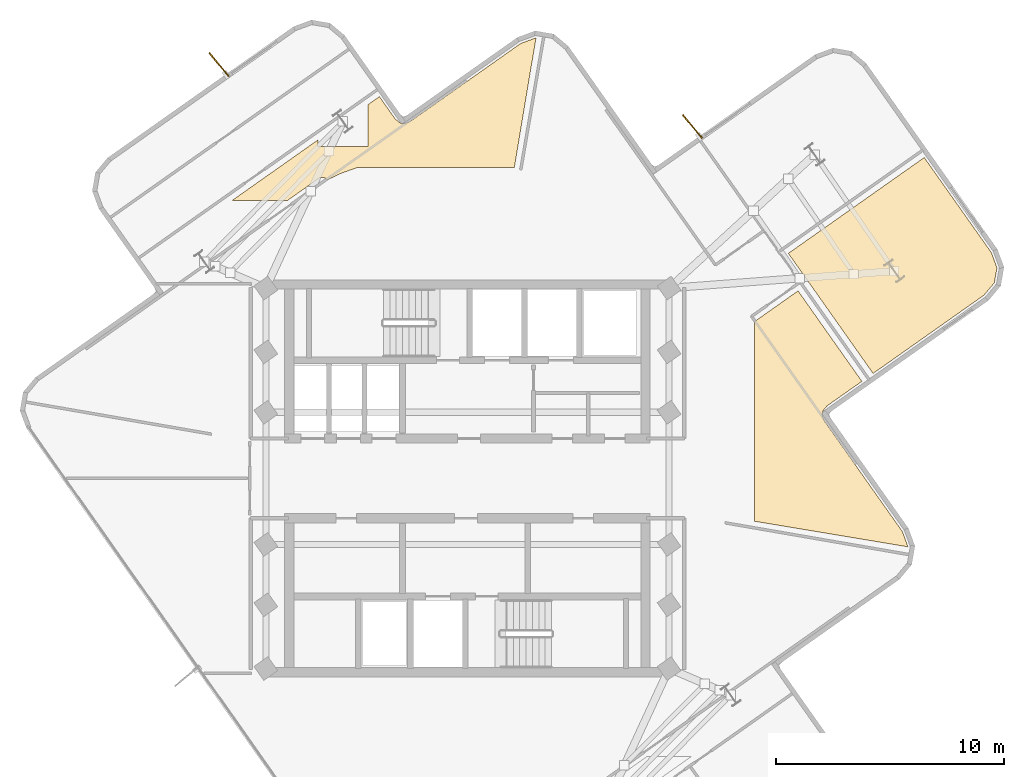
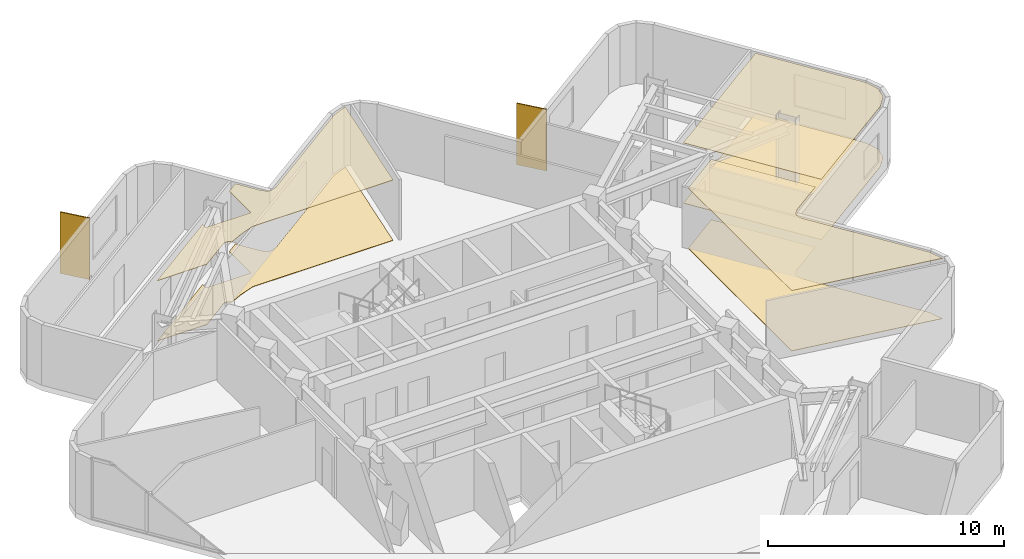
# One storey, part 9 of 9: 6 coverings, 2 shading devices.
"""IFC4 building model written with IfcOpenShell, lengths in metres."""

from ifc_helpers import new_model, si_unit, direction, frame, origin, origin_2d, place, context, subcontext, project, spatial, polyline, rectangle, outline, extrude, material, layer, layer_set, type_object, element, save


model = new_model("IFC4")

# Units and contexts
model_context = context("Model", 3, precision=1e-05, world=origin(), true_north=direction((0.0, 1.0)))
body_context = subcontext(model_context, "Body", "Model", "MODEL_VIEW")
ifc_project = project(units=[si_unit("LENGTHUNIT", "METRE"), si_unit("AREAUNIT", "SQUARE_METRE"), si_unit("VOLUMEUNIT", "CUBIC_METRE"), si_unit("PLANEANGLEUNIT", "RADIAN"), si_unit("MASSUNIT", "GRAM", prefix="KILO")], contexts=[model_context])

# Site, building, storey
site_placement = place(None, origin())
site = spatial("IfcSite", under=ifc_project, at=site_placement, CompositionType="ELEMENT")
building_placement = place(site_placement, origin())
building = spatial("IfcBuilding", under=site, at=building_placement, Name="Solmarez Civic Tower", CompositionType="ELEMENT")
storey_placement = place(building_placement, frame((0.0, 0.0, 222.300048828125)))
storey = spatial("IfcBuildingStorey", under=building, at=storey_placement, Name="L59", CompositionType="ELEMENT", Elevation=222.300048828125)

# Coverings
ifc_material_1 = material(Name="Perforated Mineral-Fibre Acoustic Ceiling")
ifc_layer_1 = layer(ifc_material_1, 0.02490234375)
ifc_layer_set_1 = layer_set([ifc_layer_1], Name="Perforated Mineral-Fibre Acoustic Ceiling")
covering_type_1 = type_object("IfcCoveringType", Name="COV-CEIL-ACOUSTIC", PredefinedType="CEILING", material=ifc_layer_set_1)
covering_1_placement = place(storey_placement, frame((0.0, 0.0, 3.114990234375)))
element("IfcCovering", 1, at=covering_1_placement, inside=storey, type_object=covering_type_1, Name="L59 Suspended Acoustic Ceiling 1", PredefinedType="CEILING", context=body_context, shape_type="SweptSolid", body=[
    extrude(outline(polyline([(-10.323974609375, 12.199951171875), (-7.89404296875, 12.199951171875), (-6.528076171875, 13.1640625), (-6.510009765625, 13.175048828125), (-6.489990234375, 13.18505859375), (-6.48095703125, 13.18896484375), (-6.47412109375, 13.19189453125), (-6.468994140625, 13.194091796875), (-6.448974609375, 13.200927734375), (-6.428955078125, 13.2060546875), (-6.408935546875, 13.208984375), (-6.39892578125, 13.2099609375), (-6.3759765625, 13.2109375), (-6.35302734375, 13.2099609375), (-6.343994140625, 13.208984375), (-6.324951171875, 13.2060546875), (-6.320068359375, 13.205078125), (-6.29296875, 13.197998046875), (-6.283935546875, 13.195068359375), (-6.261962890625, 13.18603515625), (-6.240966796875, 13.175048828125), (-6.236083984375, 13.172119140625), (-6.219970703125, 13.160888671875), (-6.2060546875, 13.14990234375), (-6.198974609375, 13.14404296875), (-6.18603515625, 13.133056640625), (-6.178955078125, 13.1259765625), (-6.1669921875, 13.112060546875), (-6.156005859375, 13.097900390625), (-5.552978515625, 13.384033203125), (-5.532958984375, 13.39208984375), (-4.85107421875, 13.635986328125), (-4.844970703125, 13.637939453125), (-4.818115234375, 13.64501953125), (-4.81298828125, 13.64599609375), (-4.7919921875, 13.64892578125), (-4.77001953125, 13.64990234375), (2.05810546875, 13.64990234375), (3.007080078125, 19.330078125), (3.0, 19.3310546875), (2.3349609375, 19.0869140625), (-2.485107421875, 15.68505859375), (-2.489990234375, 15.681884765625), (-2.49609375, 15.677978515625), (-2.52001953125, 15.6640625), (-2.52587890625, 15.660888671875), (-2.5439453125, 15.653076171875), (-2.56005859375, 15.64794921875), (-2.715087890625, 15.590087890625), (-2.73193359375, 15.583984375), (-2.739013671875, 15.58203125), (-2.74609375, 15.5810546875), (-2.75390625, 15.5791015625), (-2.77587890625, 15.573974609375), (-2.782958984375, 15.572998046875), (-2.81396484375, 15.571044921875), (-2.822021484375, 15.571044921875), (-2.84912109375, 15.572998046875), (-2.861083984375, 15.573974609375), (-2.867919921875, 15.574951171875), (-2.89697265625, 15.5810546875), (-2.904052734375, 15.5830078125), (-2.9208984375, 15.589111328125), (-2.928955078125, 15.592041015625), (-2.949951171875, 15.60107421875), (-2.9560546875, 15.60400390625), (-2.967041015625, 15.610107421875), (-2.97412109375, 15.614013671875), (-2.989990234375, 15.6240234375), (-3.006103515625, 15.635986328125), (-3.011962890625, 15.64111328125), (-3.14404296875, 15.7509765625), (-3.158935546875, 15.763916015625), (-3.1640625, 15.76904296875), (-3.1689453125, 15.77392578125), (-3.18505859375, 15.79296875), (-3.18896484375, 15.798095703125), (-3.197021484375, 15.80810546875), (-3.864990234375, 16.7548828125), (-4.367919921875, 16.40087890625), (-4.367919921875, 14.571044921875), (-6.568115234375, 14.571044921875), (-6.568115234375, 14.84912109375), (-10.323974609375, 12.199951171875)])), origin(), (0.0, 0.0, 1.0), 0.02490234375),
])
covering_2_placement = place(storey_placement, frame((0.0, 0.0, 3.114990234375)))
element("IfcCovering", 2, at=covering_2_placement, inside=storey, type_object=covering_type_1, Name="L59 Suspended Acoustic Ceiling 3", PredefinedType="CEILING", context=body_context, shape_type="SweptSolid", body=[
    extrude(outline(polyline([(12.60009765625, 6.881103515625), (12.60009765625, -1.883056640625), (19.330078125, -3.007080078125), (19.3310546875, -3.0), (19.0869140625, -2.3349609375), (15.68505859375, 2.485107421875), (15.681884765625, 2.489990234375), (15.677978515625, 2.49609375), (15.6640625, 2.52001953125), (15.660888671875, 2.52587890625), (15.653076171875, 2.5439453125), (15.64794921875, 2.56005859375), (15.590087890625, 2.715087890625), (15.583984375, 2.73193359375), (15.58203125, 2.739013671875), (15.5810546875, 2.74609375), (15.5791015625, 2.75390625), (15.573974609375, 2.77587890625), (15.572998046875, 2.782958984375), (15.571044921875, 2.81396484375), (15.571044921875, 2.822021484375), (15.572998046875, 2.84912109375), (15.573974609375, 2.861083984375), (15.574951171875, 2.867919921875), (15.5810546875, 2.89697265625), (15.5830078125, 2.904052734375), (15.589111328125, 2.9208984375), (15.592041015625, 2.928955078125), (15.60107421875, 2.949951171875), (15.60400390625, 2.9560546875), (15.610107421875, 2.967041015625), (15.614013671875, 2.97412109375), (15.6240234375, 2.989990234375), (15.635986328125, 3.006103515625), (15.64111328125, 3.011962890625), (15.7509765625, 3.14404296875), (15.763916015625, 3.158935546875), (15.76904296875, 3.1640625), (15.77392578125, 3.1689453125), (15.79296875, 3.18505859375), (15.798095703125, 3.18896484375), (15.80810546875, 3.197021484375), (17.31103515625, 4.257080078125), (14.510009765625, 8.22802734375), (12.60009765625, 6.881103515625)])), origin(), (0.0, 0.0, 1.0), 0.02490234375),
])
covering_3_placement = place(storey_placement, frame((0.0, 0.0, 3.114990234375)))
element("IfcCovering", 3, at=covering_3_placement, inside=storey, type_object=covering_type_1, Name="L59 Suspended Acoustic Ceiling 4", PredefinedType="CEILING", context=body_context, shape_type="SweptSolid", body=[
    extrude(outline(polyline([(17.802001953125, 4.60400390625), (22.672119140625, 8.0390625), (23.125, 8.5830078125), (23.239013671875, 9.240966796875), (22.9951171875, 9.906005859375), (20.049072265625, 14.0810546875), (14.083984375, 9.8740234375), (17.802001953125, 4.60400390625)])), origin(), (0.0, 0.0, 1.0), 0.02490234375),
])
ifc_material_2 = material(Name="Polished Tropical Stone Terrazzo Flooring", Category="masonry")
ifc_layer_2 = layer(ifc_material_2, 0.02001953125)
ifc_layer_set_2 = layer_set([ifc_layer_2], Name="Polished Tropical Stone Terrazzo Flooring")
covering_type_2 = type_object("IfcCoveringType", Name="COV-FLOOR-TERRAZZO", PredefinedType="FLOORING", material=ifc_layer_set_2)
covering_4_placement = place(storey_placement, origin())
element("IfcCovering", 4, at=covering_4_placement, inside=storey, type_object=covering_type_2, Name="L59 Terrazzo Floor Finish 1", PredefinedType="FLOORING", context=body_context, shape_type="SweptSolid", body=[
    extrude(outline(polyline([(-10.323974609375, 12.199951171875), (-7.89404296875, 12.199951171875), (-6.528076171875, 13.1640625), (-6.510009765625, 13.175048828125), (-6.489990234375, 13.18505859375), (-6.48095703125, 13.18896484375), (-6.47412109375, 13.19189453125), (-6.468994140625, 13.194091796875), (-6.448974609375, 13.200927734375), (-6.428955078125, 13.2060546875), (-6.408935546875, 13.208984375), (-6.39892578125, 13.2099609375), (-6.3759765625, 13.2109375), (-6.35302734375, 13.2099609375), (-6.343994140625, 13.208984375), (-6.324951171875, 13.2060546875), (-6.320068359375, 13.205078125), (-6.29296875, 13.197998046875), (-6.283935546875, 13.195068359375), (-6.261962890625, 13.18603515625), (-6.240966796875, 13.175048828125), (-6.236083984375, 13.172119140625), (-6.219970703125, 13.160888671875), (-6.2060546875, 13.14990234375), (-6.198974609375, 13.14404296875), (-6.18603515625, 13.133056640625), (-6.178955078125, 13.1259765625), (-6.1669921875, 13.112060546875), (-6.156005859375, 13.097900390625), (-5.552978515625, 13.384033203125), (-5.532958984375, 13.39208984375), (-4.85107421875, 13.635986328125), (-4.844970703125, 13.637939453125), (-4.818115234375, 13.64501953125), (-4.81298828125, 13.64599609375), (-4.7919921875, 13.64892578125), (-4.77001953125, 13.64990234375), (2.05810546875, 13.64990234375), (3.007080078125, 19.330078125), (3.0, 19.3310546875), (2.3349609375, 19.0869140625), (-2.485107421875, 15.68505859375), (-2.489990234375, 15.681884765625), (-2.49609375, 15.677978515625), (-2.52001953125, 15.6640625), (-2.52587890625, 15.660888671875), (-2.5439453125, 15.653076171875), (-2.56005859375, 15.64794921875), (-2.715087890625, 15.590087890625), (-2.73193359375, 15.583984375), (-2.739013671875, 15.58203125), (-2.74609375, 15.5810546875), (-2.75390625, 15.5791015625), (-2.77587890625, 15.573974609375), (-2.782958984375, 15.572998046875), (-2.81396484375, 15.571044921875), (-2.822021484375, 15.571044921875), (-2.84912109375, 15.572998046875), (-2.861083984375, 15.573974609375), (-2.867919921875, 15.574951171875), (-2.89697265625, 15.5810546875), (-2.904052734375, 15.5830078125), (-2.9208984375, 15.589111328125), (-2.928955078125, 15.592041015625), (-2.949951171875, 15.60107421875), (-2.9560546875, 15.60400390625), (-2.967041015625, 15.610107421875), (-2.97412109375, 15.614013671875), (-2.989990234375, 15.6240234375), (-3.006103515625, 15.635986328125), (-3.011962890625, 15.64111328125), (-3.14404296875, 15.7509765625), (-3.158935546875, 15.763916015625), (-3.1640625, 15.76904296875), (-3.1689453125, 15.77392578125), (-3.18505859375, 15.79296875), (-3.18896484375, 15.798095703125), (-3.197021484375, 15.80810546875), (-3.864990234375, 16.7548828125), (-4.367919921875, 16.40087890625), (-4.367919921875, 14.571044921875), (-6.568115234375, 14.571044921875), (-6.568115234375, 14.84912109375), (-10.323974609375, 12.199951171875)])), origin(), (0.0, 0.0, 1.0), 0.02001953125),
])
covering_5_placement = place(storey_placement, origin())
element("IfcCovering", 5, at=covering_5_placement, inside=storey, type_object=covering_type_2, Name="L59 Terrazzo Floor Finish 3", PredefinedType="FLOORING", context=body_context, shape_type="SweptSolid", body=[
    extrude(outline(polyline([(12.60009765625, 6.881103515625), (12.60009765625, -1.883056640625), (19.330078125, -3.007080078125), (19.3310546875, -3.0), (19.0869140625, -2.3349609375), (15.68505859375, 2.485107421875), (15.681884765625, 2.489990234375), (15.677978515625, 2.49609375), (15.6640625, 2.52001953125), (15.660888671875, 2.52587890625), (15.653076171875, 2.5439453125), (15.64794921875, 2.56005859375), (15.590087890625, 2.715087890625), (15.583984375, 2.73193359375), (15.58203125, 2.739013671875), (15.5810546875, 2.74609375), (15.5791015625, 2.75390625), (15.573974609375, 2.77587890625), (15.572998046875, 2.782958984375), (15.571044921875, 2.81396484375), (15.571044921875, 2.822021484375), (15.572998046875, 2.84912109375), (15.573974609375, 2.861083984375), (15.574951171875, 2.867919921875), (15.5810546875, 2.89697265625), (15.5830078125, 2.904052734375), (15.589111328125, 2.9208984375), (15.592041015625, 2.928955078125), (15.60107421875, 2.949951171875), (15.60400390625, 2.9560546875), (15.610107421875, 2.967041015625), (15.614013671875, 2.97412109375), (15.6240234375, 2.989990234375), (15.635986328125, 3.006103515625), (15.64111328125, 3.011962890625), (15.7509765625, 3.14404296875), (15.763916015625, 3.158935546875), (15.76904296875, 3.1640625), (15.77392578125, 3.1689453125), (15.79296875, 3.18505859375), (15.798095703125, 3.18896484375), (15.80810546875, 3.197021484375), (17.31103515625, 4.257080078125), (14.510009765625, 8.22802734375), (12.60009765625, 6.881103515625)])), origin(), (0.0, 0.0, 1.0), 0.02001953125),
])
covering_6_placement = place(storey_placement, origin())
element("IfcCovering", 6, at=covering_6_placement, inside=storey, type_object=covering_type_2, Name="L59 Terrazzo Floor Finish 4", PredefinedType="FLOORING", context=body_context, shape_type="SweptSolid", body=[
    extrude(outline(polyline([(17.802001953125, 4.60400390625), (22.672119140625, 8.0390625), (23.125, 8.5830078125), (23.239013671875, 9.240966796875), (22.9951171875, 9.906005859375), (20.049072265625, 14.0810546875), (14.083984375, 9.8740234375), (17.802001953125, 4.60400390625)])), origin(), (0.0, 0.0, 1.0), 0.02001953125),
])

# Shading devices
ifc_material_3 = material(Name="Bronze Anodised Aluminium EN AW-6063 T6", Category="aluminium")
ifc_layer_3 = layer(ifc_material_3, 0.054931640625)
ifc_layer_set_3 = layer_set([ifc_layer_3], Name="Bronze Anodised Aluminium EN AW-6063 T6")
shading_device_type = type_object("IfcShadingDeviceType", Name="FIN-BRONZE-Z56", PredefinedType="USERDEFINED", material=ifc_layer_set_3)
for number, where, z_axis, x_axis, name in (
    (7, (-10.905029296875, 18.158935546875, -0.0400390625), (0.0, 0.0, 1.0), (-0.63904977427, 0.76916538274, 0.0), "L59 Anodised Bronze Solar Fin FIN-L59-03"),
    (8, (9.875, 15.44091796875, -0.0400390625), (0.0, 0.0, 1.0), (-0.639063198641, 0.7691542291, 0.0), "L59 Anodised Bronze Solar Fin FIN-L59-04"),
):
    element("IfcShadingDevice", number, at=place(storey_placement, frame(where, z_axis=z_axis, x_axis=x_axis)), inside=storey, type_object=shading_device_type, Name=name, ObjectType="FIN", PredefinedType="USERDEFINED", context=body_context, shape_type="SweptSolid", body=[
        extrude(rectangle(XDim=1.35009765625, YDim=0.054931640625, at=origin_2d()), origin(), (0.0, 0.0, 1.0), 3.179931640625),
    ])

save(model, "model.ifc")
